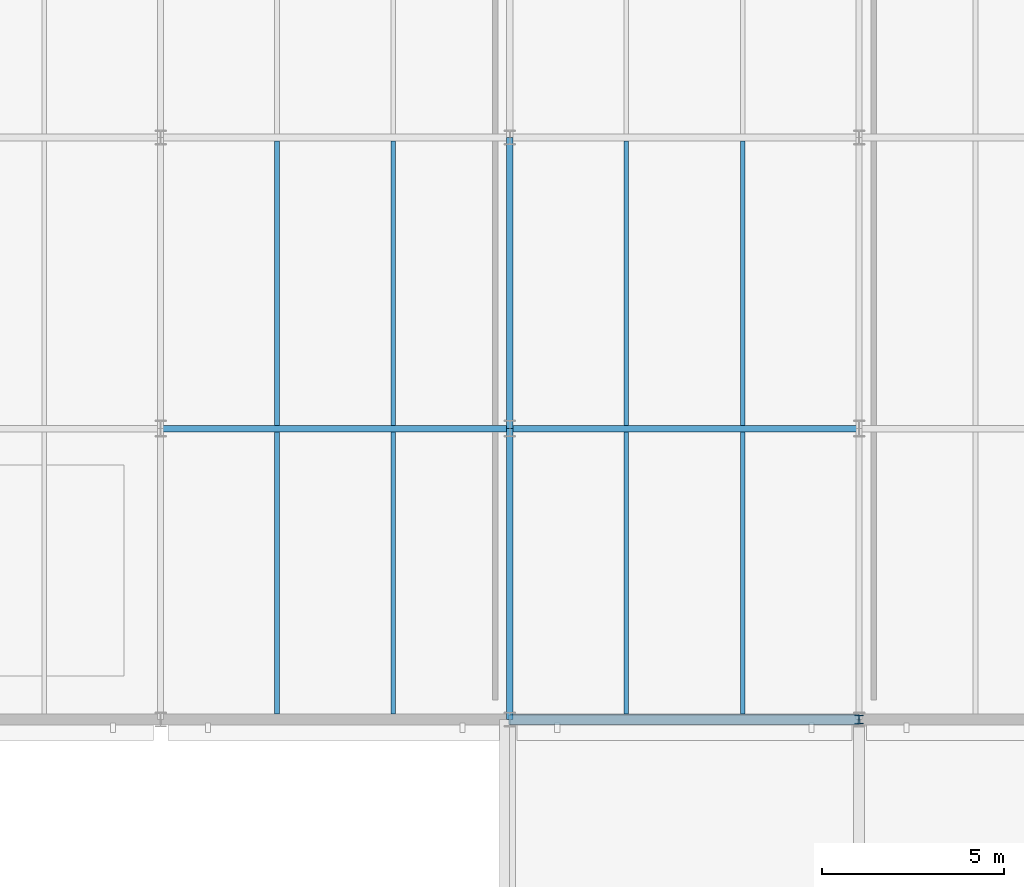
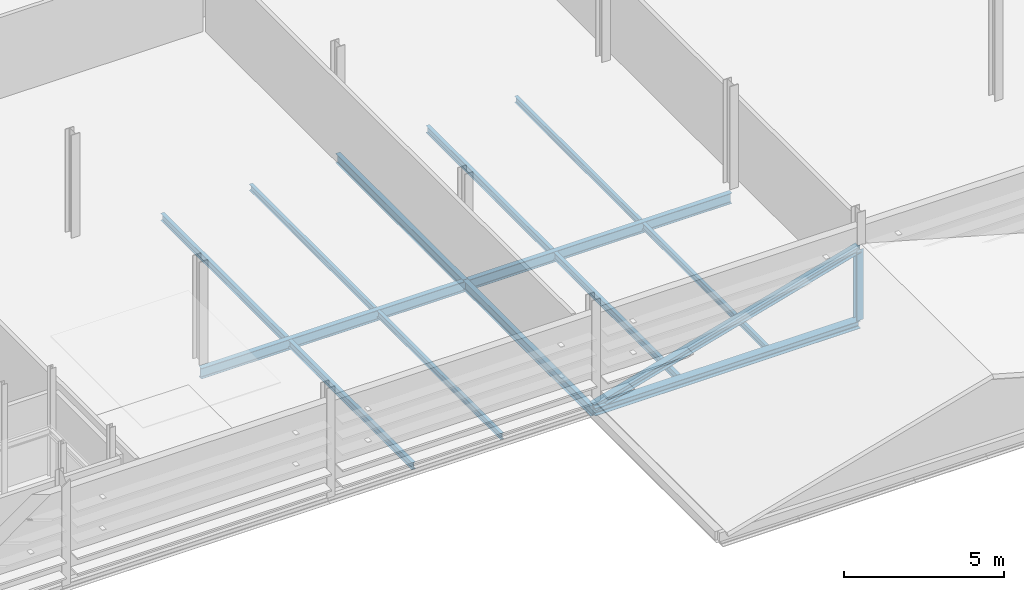
# One storey, part 29 of 85: 13 beams, 2 members.
"""IFC4 building model written with IfcOpenShell, lengths in metres."""

import ifcopenshell
import ifcopenshell.guid

model = None  # the IFC model being written
_history = None  # IfcOwnerHistory: only IFC2X3 demands one
_inside = {}  # id of a spatial element -> (the spatial element, [elements in it])
_under = {}  # id of a project, library or spatial element -> (it, [spatial elements below it])
_declared = {}  # id of a project -> (the project, [libraries it declares])
_typed = {}  # id of a type object -> (the type object, [elements of that type])
_made_of = {}  # id of a material, layer set ... -> (it, [elements and type objects made of it])


def new_model(schema):
    """Start an empty IFC model of exactly this schema.

    Asked for "IFC4X3", IfcOpenShell would pick the latest addendum, in which some entities
    have other attributes; the version numbers below select the first issue.
    IFC2X3 requires an IfcOwnerHistory on every rooted entity: one is made here for all.
    """
    global model, _history
    if schema == "IFC4X3":
        model = ifcopenshell.file(schema_version=(4, 3, 0, 0))
    else:
        model = ifcopenshell.file(schema=schema)
    _inside.clear()
    _under.clear()
    _declared.clear()
    _typed.clear()
    _made_of.clear()
    _history = None
    if model.schema == "IFC2X3":
        org = make("IfcOrganization", Name="unknown")
        user = make(
            "IfcPersonAndOrganization",
            ThePerson=make("IfcPerson", FamilyName="unknown"),
            TheOrganization=org,
        )
        app = make(
            "IfcApplication",
            ApplicationDeveloper=org,
            Version="unknown",
            ApplicationFullName="unknown",
            ApplicationIdentifier="unknown",
        )
        _history = make(
            "IfcOwnerHistory",
            OwningUser=user,
            OwningApplication=app,
            ChangeAction="ADDED",
            CreationDate=0,
        )
    return model


def make(cls, **values):
    """One entity of the class cls with the attributes given. An attribute that is None is left unset."""
    return model.create_entity(
        cls, **{name: value for name, value in values.items() if value is not None}
    )


def rooted(cls, **values):
    """An entity with a GlobalId (a new one), such as an element, a storey or a relation."""
    return make(cls, GlobalId=ifcopenshell.guid.new(), OwnerHistory=_history, **values)


def si_unit(unit_type, name, prefix=None):
    """IfcSIUnit, for example si_unit("LENGTHUNIT", "METRE", prefix="MILLI")."""
    return make("IfcSIUnit", UnitType=unit_type, Prefix=prefix, Name=name)


def assignment(units):
    """IfcUnitAssignment: the units of a project."""
    return None if units is None else make("IfcUnitAssignment", Units=units)


def point(xyz):
    """IfcCartesianPoint."""
    return None if xyz is None else make("IfcCartesianPoint", Coordinates=xyz)


def direction(xyz):
    """IfcDirection."""
    return None if xyz is None else make("IfcDirection", DirectionRatios=xyz)


def frame(location, z_axis=None, x_axis=None):
    """IfcAxis2Placement3D, a coordinate frame: its origin and axes. An axis left out is left unset."""
    return make(
        "IfcAxis2Placement3D",
        Location=point(location),
        Axis=direction(z_axis),
        RefDirection=direction(x_axis),
    )


def frame_2d(location, x_axis=None):
    """IfcAxis2Placement2D, a coordinate frame in the plane: its origin and x axis."""
    return make(
        "IfcAxis2Placement2D", Location=point(location), RefDirection=direction(x_axis)
    )


def origin():
    """The frame at (0, 0, 0) with its axes left unset."""
    return frame((0.0, 0.0, 0.0))


def origin_2d():
    """The frame at (0, 0) in the plane with its x axis left unset."""
    return frame_2d((0.0, 0.0))


def place(relative_to, where):
    """IfcLocalPlacement: puts the frame where relative to a parent placement (None: the world)."""
    return make(
        "IfcLocalPlacement", PlacementRelTo=relative_to, RelativePlacement=where
    )


def context(
    kind, dimensions, precision=None, world=None, true_north=None, identifier=None
):
    """IfcGeometricRepresentationContext, for example the 3D "Model" context."""
    return make(
        "IfcGeometricRepresentationContext",
        ContextIdentifier=identifier,
        ContextType=kind,
        CoordinateSpaceDimension=dimensions,
        Precision=precision,
        WorldCoordinateSystem=world,
        TrueNorth=true_north,
    )


def subcontext(parent, identifier, kind, view, scale=None):
    """IfcGeometricRepresentationSubContext, for example "Body" below "Model"."""
    return make(
        "IfcGeometricRepresentationSubContext",
        ContextIdentifier=identifier,
        ContextType=kind,
        ParentContext=parent,
        TargetScale=scale,
        TargetView=view,
    )


def project(units=None, contexts=None):
    """IfcProject with its units and contexts."""
    return rooted(
        "IfcProject",
        Name="project",
        RepresentationContexts=contexts,
        UnitsInContext=assignment(units),
    )


def spatial(cls, under=None, at=None, **own):
    """A site, building, storey or space (cls), placed at a placement, below another one or the project."""
    s = rooted(cls, ObjectPlacement=at, **own)
    if under is not None:
        _under.setdefault(under.id(), (under, []))[1].append(s)
    return s


def profile(cls, at=None, kind="AREA", **sizes):
    """A parametric profile (cls). Its sizes go by their IFC names, for example OverallWidth=200.0."""
    return make(cls, ProfileType=kind, Position=at, **sizes)


def i_section(**sizes):
    """IfcIShapeProfileDef."""
    return profile("IfcIShapeProfileDef", **sizes)


def extrude(swept, where, along, depth):
    """IfcExtrudedAreaSolid: the profile swept, set in the frame where, extruded along a direction by depth."""
    return make(
        "IfcExtrudedAreaSolid",
        SweptArea=swept,
        Position=where,
        ExtrudedDirection=direction(along),
        Depth=depth,
    )


def shape(context_of_items, identifier, shape_type, items):
    """IfcShapeRepresentation: the items that make up one representation, for example the "Body"."""
    return make(
        "IfcShapeRepresentation",
        ContextOfItems=context_of_items,
        RepresentationIdentifier=identifier,
        RepresentationType=shape_type,
        Items=items,
    )


def material(Name=None, Category=None):
    """IfcMaterial."""
    return make("IfcMaterial", Name=Name, Category=Category)


def material_profile(
    of_material, cross_section, Name=None, Category=None, Priority=None
):
    """IfcMaterialProfile: a cross section and its material."""
    return make(
        "IfcMaterialProfile",
        Name=Name,
        Material=of_material,
        Profile=cross_section,
        Priority=Priority,
        Category=Category,
    )


def profile_set(profiles, Name=None, composite=None):
    """IfcMaterialProfileSet."""
    return make(
        "IfcMaterialProfileSet",
        Name=Name,
        MaterialProfiles=profiles,
        CompositeProfile=composite,
    )


def made_of(thing, what):
    """Note that an element or type object is made of a material, layer set ...; save() writes the relation."""
    if what is not None:
        _made_of.setdefault(what.id(), (what, []))[1].append(thing)
    return thing


def type_object(cls, material=None, **own):
    """A type object (cls), such as IfcWallType, which elements share."""
    return made_of(rooted(cls, **own), material)


def element(
    cls,
    number,
    at=None,
    inside=None,
    cuts=None,
    type_object=None,
    material=None,
    context=None,
    identifier="Body",
    shape_type=None,
    held_by="IfcProductDefinitionShape",
    body=None,
    shapes=None,
    **own,
):
    """One element of the class cls, such as IfcWall. Its Tag is "e" and its number.

    at: its placement. inside: the storey or other place that contains it. cuts: it is an
    opening in that element (IfcRelVoidsElement). A single representation is given by context,
    identifier, shape_type and body (its items); several are given by shapes. held_by: the class
    of the entity that holds the representations. save() writes the other relations.
    """
    e = rooted(cls, Tag="e%d" % number, ObjectPlacement=at, **own)
    if body is not None:
        shapes = [shape(context, identifier, shape_type, body)]
    if shapes is not None:
        e.Representation = make(held_by, Representations=shapes)
    if inside is not None:
        _inside.setdefault(inside.id(), (inside, []))[1].append(e)
    if cuts is not None:
        rooted(
            "IfcRelVoidsElement", RelatingBuildingElement=cuts, RelatedOpeningElement=e
        )
    if type_object is not None:
        _typed.setdefault(type_object.id(), (type_object, []))[1].append(e)
    return made_of(e, material)


def aggregate(whole, parts):
    """IfcRelAggregates: a whole, such as a stair, and the parts it consists of."""
    return rooted("IfcRelAggregates", RelatingObject=whole, RelatedObjects=parts)


def save(model, path):
    """Write the relations noted so far, then the file.

    IfcRelAggregates (storeys below a building ...), IfcRelContainedInSpatialStructure (elements
    in a storey), IfcRelDefinesByType, IfcRelAssociatesMaterial and IfcRelDeclares: one each for
    every whole, place, type object, material and project.
    """
    for whole, parts in _under.values():
        aggregate(whole, parts)
    for where, things in _inside.values():
        rooted(
            "IfcRelContainedInSpatialStructure",
            RelatedElements=things,
            RelatingStructure=where,
        )
    for kind, things in _typed.values():
        rooted("IfcRelDefinesByType", RelatedObjects=things, RelatingType=kind)
    for what, things in _made_of.values():
        rooted("IfcRelAssociatesMaterial", RelatedObjects=things, RelatingMaterial=what)
    for by, libraries in _declared.values():
        rooted("IfcRelDeclares", RelatingContext=by, RelatedDefinitions=libraries)
    model.write(path)


model = new_model("IFC4")

# Units and contexts
model_context = context("Model", 3, precision=1e-05, world=origin(), true_north=direction((0.0, 1.0)))
body_context = subcontext(model_context, "Body", "Model", "MODEL_VIEW")
ifc_project = project(units=[si_unit("LENGTHUNIT", "METRE"), si_unit("AREAUNIT", "SQUARE_METRE"), si_unit("VOLUMEUNIT", "CUBIC_METRE"), si_unit("PLANEANGLEUNIT", "RADIAN"), si_unit("MASSUNIT", "GRAM", prefix="KILO")], contexts=[model_context])

# Site, building, storey
site_placement = place(None, origin())
site = spatial("IfcSite", under=ifc_project, at=site_placement, CompositionType="ELEMENT")
building_placement = place(site_placement, origin())
building = spatial("IfcBuilding", under=site, at=building_placement, Name="Alderhovde Museum", CompositionType="ELEMENT")
storey_placement = place(building_placement, frame((0.0, 0.0, 8.699951171875)))
storey = spatial("IfcBuildingStorey", under=building, at=storey_placement, Name="L02", CompositionType="ELEMENT", Elevation=8.699951171875)

# Beams
ifc_material_1 = material(Name="Steel S355J2", Category="steel")
ifc_material_profile_1 = material_profile(ifc_material_1, i_section(OverallWidth=0.169921875, OverallDepth=0.360107421875, WebThickness=0.008056640625, FlangeThickness=0.0126953125, FilletRadius=0.01806640625, at=origin_2d()), Name="IPE 360")
ifc_profile_set_1 = profile_set([ifc_material_profile_1], Name="Steel S355J2")
beam_type_1 = type_object("IfcBeamType", Name="BM-IPE360", PredefinedType="BEAM", material=ifc_profile_set_1)
for number, where, z_axis, x_axis, name in (
    (1, (48.0, 48.0, -0.43994140625), (0.0, 1.0, 0.0), (-1.0, 0.0, 0.0), "L02 Grid Beam X=48.0 (48.0 TO 56.0)"),
    (2, (48.0, 56.0, -0.43994140625), (0.0, 1.0, 0.0), (-1.0, 0.0, 0.0), "L02 Grid Beam X=48.0 (56.0 TO 64.0)"),
):
    element("IfcBeam", number, at=place(storey_placement, frame(where, z_axis=z_axis, x_axis=x_axis)), inside=storey, type_object=beam_type_1, Name=name, PredefinedType="BEAM", context=body_context, shape_type="SweptSolid", body=[
        extrude(i_section(OverallWidth=0.169921875, OverallDepth=0.360107421875, WebThickness=0.008056640625, FlangeThickness=0.0126953125, FilletRadius=0.01806640625, at=origin_2d()), origin(), (0.0, 0.0, 1.0), 8.0),
    ])
ifc_material_2 = material(Name="Steel S355J2", Category="steel")
ifc_material_profile_2 = material_profile(ifc_material_2, i_section(OverallWidth=0.179931640625, OverallDepth=0.39990234375, WebThickness=0.008544921875, FlangeThickness=0.013427734375, FilletRadius=0.02099609375, at=origin_2d()), Name="IPE 400")
ifc_profile_set_2 = profile_set([ifc_material_profile_2], Name="Steel S355J2")
beam_type_2 = type_object("IfcBeamType", Name="BM-IPE400", PredefinedType="BEAM", material=ifc_profile_set_2)
for number, where, z_axis, x_axis, name in (
    (3, (38.39990234375, 56.0, -0.4599609375), (1.0, 0.0, 0.0), (0.0, 1.0, 0.0), "L02 Grid Beam Y=56.0 (38.4 TO 48.0)"),
    (4, (48.0, 56.0, -0.4599609375), (1.0, 0.0, 0.0), (0.0, 1.0, 0.0), "L02 Grid Beam Y=56.0 (48.0 TO 57.6)"),
):
    element("IfcBeam", number, at=place(storey_placement, frame(where, z_axis=z_axis, x_axis=x_axis)), inside=storey, type_object=beam_type_2, Name=name, PredefinedType="BEAM", context=body_context, shape_type="SweptSolid", body=[
        extrude(i_section(OverallWidth=0.179931640625, OverallDepth=0.39990234375, WebThickness=0.008544921875, FlangeThickness=0.013427734375, FilletRadius=0.02099609375, at=origin_2d()), origin(), (0.0, 0.0, 1.0), 9.60009765625),
    ])
ifc_material_3 = material(Name="Steel S355J2", Category="steel")
ifc_material_profile_3 = material_profile(ifc_material_3, i_section(OverallWidth=0.1201171875, OverallDepth=0.239990234375, WebThickness=0.006103515625, FlangeThickness=0.009765625, FilletRadius=0.014892578125, at=origin_2d()), Name="IPE 240")
ifc_profile_set_3 = profile_set([ifc_material_profile_3], Name="Steel S355J2")
beam_type_3 = type_object("IfcBeamType", Name="JST-IPE240", PredefinedType="JOIST", material=ifc_profile_set_3)
beam_1_placement = place(storey_placement, frame((44.800048828125, 48.14990234375, -0.3798828125), z_axis=(0.0, 1.0, 0.0), x_axis=(-1.0, 0.0, 0.0)))
element("IfcBeam", 5, at=beam_1_placement, inside=storey, type_object=beam_type_3, Name="L02 Composite Joist X=44.8 (48.0 TO 56.0)", PredefinedType="JOIST", context=body_context, shape_type="SweptSolid", body=[
    extrude(i_section(OverallWidth=0.1201171875, OverallDepth=0.239990234375, WebThickness=0.006103515625, FlangeThickness=0.009765625, FilletRadius=0.014892578125, at=origin_2d()), origin(), (0.0, 0.0, 1.0), 7.760009765625),
])
beam_2_placement = place(storey_placement, frame((44.800048828125, 56.090087890625, -0.3798828125), z_axis=(0.0, 1.0, 0.0), x_axis=(-1.0, 0.0, 0.0)))
element("IfcBeam", 6, at=beam_2_placement, inside=storey, type_object=beam_type_3, Name="L02 Composite Joist X=44.8 (56.0 TO 64.0)", PredefinedType="JOIST", context=body_context, shape_type="SweptSolid", body=[
    extrude(i_section(OverallWidth=0.1201171875, OverallDepth=0.239990234375, WebThickness=0.006103515625, FlangeThickness=0.009765625, FilletRadius=0.014892578125, at=origin_2d()), origin(), (0.0, 0.0, 1.0), 7.81982421875),
])
beam_3_placement = place(storey_placement, frame((54.39990234375, 48.14990234375, -0.3798828125), z_axis=(0.0, 1.0, 0.0), x_axis=(-1.0, 0.0, 0.0)))
element("IfcBeam", 7, at=beam_3_placement, inside=storey, type_object=beam_type_3, Name="L02 Composite Joist X=54.4 (48.0 TO 56.0)", PredefinedType="JOIST", context=body_context, shape_type="SweptSolid", body=[
    extrude(i_section(OverallWidth=0.1201171875, OverallDepth=0.239990234375, WebThickness=0.006103515625, FlangeThickness=0.009765625, FilletRadius=0.014892578125, at=origin_2d()), origin(), (0.0, 0.0, 1.0), 7.760009765625),
])
beam_4_placement = place(storey_placement, frame((54.39990234375, 56.090087890625, -0.3798828125), z_axis=(0.0, 1.0, 0.0), x_axis=(-1.0, 0.0, 0.0)))
element("IfcBeam", 8, at=beam_4_placement, inside=storey, type_object=beam_type_3, Name="L02 Composite Joist X=54.4 (56.0 TO 64.0)", PredefinedType="JOIST", context=body_context, shape_type="SweptSolid", body=[
    extrude(i_section(OverallWidth=0.1201171875, OverallDepth=0.239990234375, WebThickness=0.006103515625, FlangeThickness=0.009765625, FilletRadius=0.014892578125, at=origin_2d()), origin(), (0.0, 0.0, 1.0), 7.81982421875),
])
ifc_material_4 = material(Name="Steel S355J2", Category="steel")
ifc_material_profile_4 = material_profile(ifc_material_4, i_section(OverallWidth=0.135009765625, OverallDepth=0.27001953125, WebThickness=0.006591796875, FlangeThickness=0.01025390625, FilletRadius=0.014892578125, at=origin_2d()), Name="IPE 270")
ifc_profile_set_4 = profile_set([ifc_material_profile_4], Name="Steel S355J2")
beam_type_4 = type_object("IfcBeamType", Name="JST-IPE270", PredefinedType="JOIST", material=ifc_profile_set_4)
beam_5_placement = place(storey_placement, frame((41.60009765625, 48.14990234375, -0.39501953125), z_axis=(0.0, 1.0, 0.0), x_axis=(-1.0, 0.0, 0.0)))
element("IfcBeam", 9, at=beam_5_placement, inside=storey, type_object=beam_type_4, Name="L02 Composite Joist X=41.6 (48.0 TO 56.0)", PredefinedType="JOIST", context=body_context, shape_type="SweptSolid", body=[
    extrude(i_section(OverallWidth=0.135009765625, OverallDepth=0.27001953125, WebThickness=0.006591796875, FlangeThickness=0.01025390625, FilletRadius=0.014892578125, at=origin_2d()), origin(), (0.0, 0.0, 1.0), 7.760009765625),
])
beam_6_placement = place(storey_placement, frame((41.60009765625, 56.090087890625, -0.39501953125), z_axis=(0.0, 1.0, 0.0), x_axis=(-1.0, 0.0, 0.0)))
element("IfcBeam", 10, at=beam_6_placement, inside=storey, type_object=beam_type_4, Name="L02 Composite Joist X=41.6 (56.0 TO 64.0)", PredefinedType="JOIST", context=body_context, shape_type="SweptSolid", body=[
    extrude(i_section(OverallWidth=0.135009765625, OverallDepth=0.27001953125, WebThickness=0.006591796875, FlangeThickness=0.01025390625, FilletRadius=0.014892578125, at=origin_2d()), origin(), (0.0, 0.0, 1.0), 7.81982421875),
])
beam_7_placement = place(storey_placement, frame((51.199951171875, 48.14990234375, -0.39501953125), z_axis=(0.0, 1.0, 0.0), x_axis=(-1.0, 0.0, 0.0)))
element("IfcBeam", 11, at=beam_7_placement, inside=storey, type_object=beam_type_4, Name="L02 Composite Joist X=51.2 (48.0 TO 56.0)", PredefinedType="JOIST", context=body_context, shape_type="SweptSolid", body=[
    extrude(i_section(OverallWidth=0.135009765625, OverallDepth=0.27001953125, WebThickness=0.006591796875, FlangeThickness=0.01025390625, FilletRadius=0.014892578125, at=origin_2d()), origin(), (0.0, 0.0, 1.0), 7.760009765625),
])
beam_8_placement = place(storey_placement, frame((51.199951171875, 56.090087890625, -0.39501953125), z_axis=(0.0, 1.0, 0.0), x_axis=(-1.0, 0.0, 0.0)))
element("IfcBeam", 12, at=beam_8_placement, inside=storey, type_object=beam_type_4, Name="L02 Composite Joist X=51.2 (56.0 TO 64.0)", PredefinedType="JOIST", context=body_context, shape_type="SweptSolid", body=[
    extrude(i_section(OverallWidth=0.135009765625, OverallDepth=0.27001953125, WebThickness=0.006591796875, FlangeThickness=0.01025390625, FilletRadius=0.014892578125, at=origin_2d()), origin(), (0.0, 0.0, 1.0), 7.81982421875),
])
ifc_material_5 = material(Name="Steel S355J2", Category="steel")
ifc_material_profile_5 = material_profile(ifc_material_5, i_section(OverallWidth=0.300048828125, OverallDepth=0.2900390625, WebThickness=0.008544921875, FlangeThickness=0.013916015625, FilletRadius=0.027099609375, at=origin_2d()), Name="HEA 300")
ifc_profile_set_5 = profile_set([ifc_material_profile_5], Name="Steel S355J2")
beam_type_5 = type_object("IfcBeamType", Name="SPD-HEA300", PredefinedType="SPANDREL", material=ifc_profile_set_5)
beam_9_placement = place(storey_placement, frame((48.0, 48.0, -0.405029296875), z_axis=(1.0, 0.0, 0.0), x_axis=(0.0, 1.0, 0.0)))
element("IfcBeam", 13, at=beam_9_placement, inside=storey, type_object=beam_type_5, Name="L02 Grid Beam Y=48.0 (48.0 TO 57.6)", PredefinedType="SPANDREL", context=body_context, shape_type="SweptSolid", body=[
    extrude(i_section(OverallWidth=0.300048828125, OverallDepth=0.2900390625, WebThickness=0.008544921875, FlangeThickness=0.013916015625, FilletRadius=0.027099609375, at=origin_2d()), origin(), (0.0, 0.0, 1.0), 9.60009765625),
])

# Members
ifc_material_6 = material(Name="Steel S355J2", Category="steel")
ifc_material_profile_6 = material_profile(ifc_material_6, i_section(OverallWidth=0.260009765625, OverallDepth=0.25, WebThickness=0.007568359375, FlangeThickness=0.012451171875, FilletRadius=0.02392578125, at=origin_2d()), Name="HEA 260")
ifc_profile_set_6 = profile_set([ifc_material_profile_6], Name="Steel S355J2")
member_type_1 = type_object("IfcMemberType", Name="TR-CH-HEA260", PredefinedType="CHORD", material=ifc_profile_set_6)
member_1_placement = place(storey_placement, frame((48.0, 48.0, -0.260009765625), z_axis=(0.962390956137, 0.0, 0.271668267462), x_axis=(0.0, 1.0, 0.0)))
element("IfcMember", 14, at=member_1_placement, inside=storey, type_object=member_type_1, Name="Portico Pediment West Rafter Y=48", PredefinedType="CHORD", context=body_context, shape_type="SweptSolid", body=[
    extrude(i_section(OverallWidth=0.260009765625, OverallDepth=0.25, WebThickness=0.007568359375, FlangeThickness=0.012451171875, FilletRadius=0.02392578125, at=origin_2d()), origin(), (0.0, 0.0, 1.0), 9.975341796875),
])
ifc_material_7 = material(Name="Steel S355J2", Category="steel")
ifc_material_profile_7 = material_profile(ifc_material_7, i_section(OverallWidth=0.239990234375, OverallDepth=0.22998046875, WebThickness=0.007568359375, FlangeThickness=0.011962890625, FilletRadius=0.02099609375, at=origin_2d()), Name="HEA 240")
ifc_profile_set_7 = profile_set([ifc_material_profile_7], Name="Steel S355J2")
member_type_2 = type_object("IfcMemberType", Name="TR-PS-HEA240", PredefinedType="POST", material=ifc_profile_set_7)
member_2_placement = place(storey_placement, frame((57.60009765625, 48.0, -0.260009765625), z_axis=(0.0, 0.0, 1.0), x_axis=(1.0, 0.0, 0.0)))
element("IfcMember", 15, at=member_2_placement, inside=storey, type_object=member_type_2, Name="Portico Pediment King Post Y=48", PredefinedType="POST", context=body_context, shape_type="SweptSolid", body=[
    extrude(i_section(OverallWidth=0.239990234375, OverallDepth=0.22998046875, WebThickness=0.007568359375, FlangeThickness=0.011962890625, FilletRadius=0.02099609375, at=origin_2d()), origin(), (0.0, 0.0, 1.0), 2.7099609375),
])

save(model, "model.ifc")
